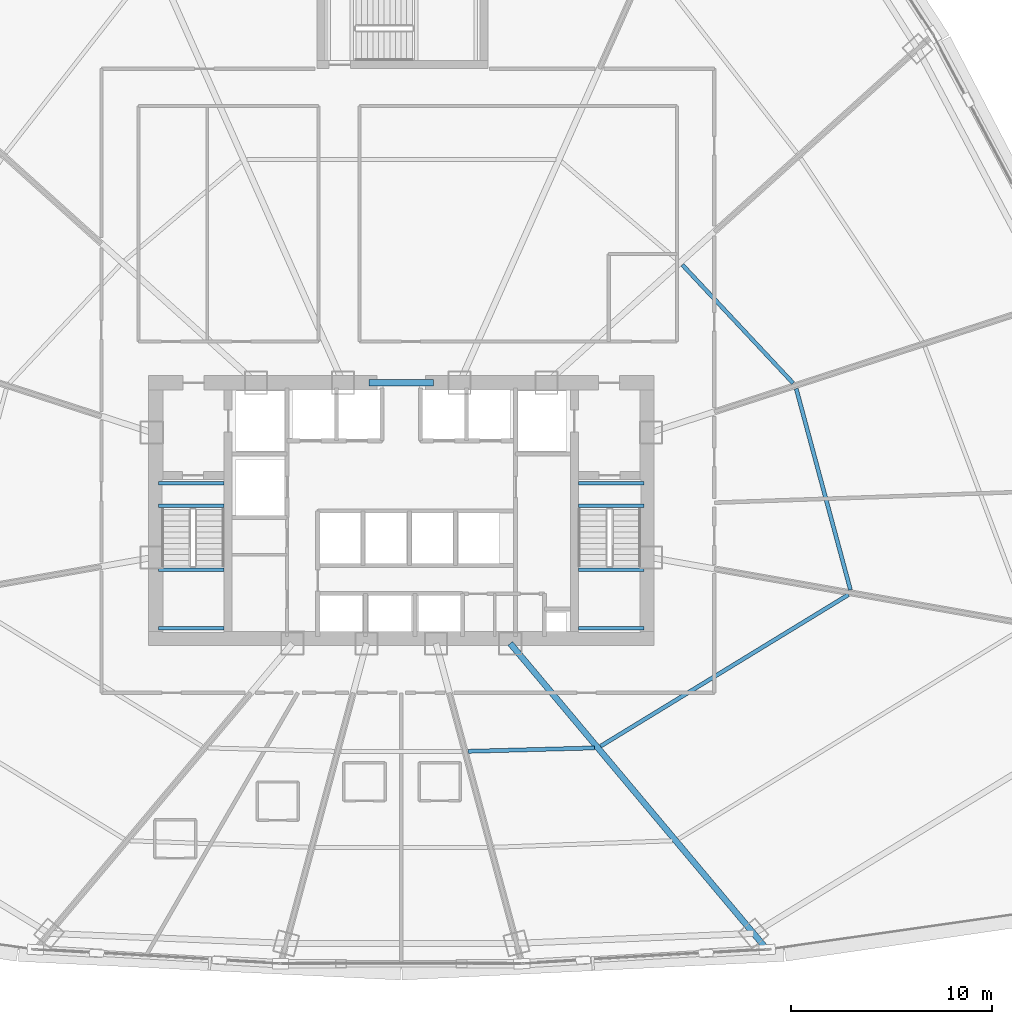
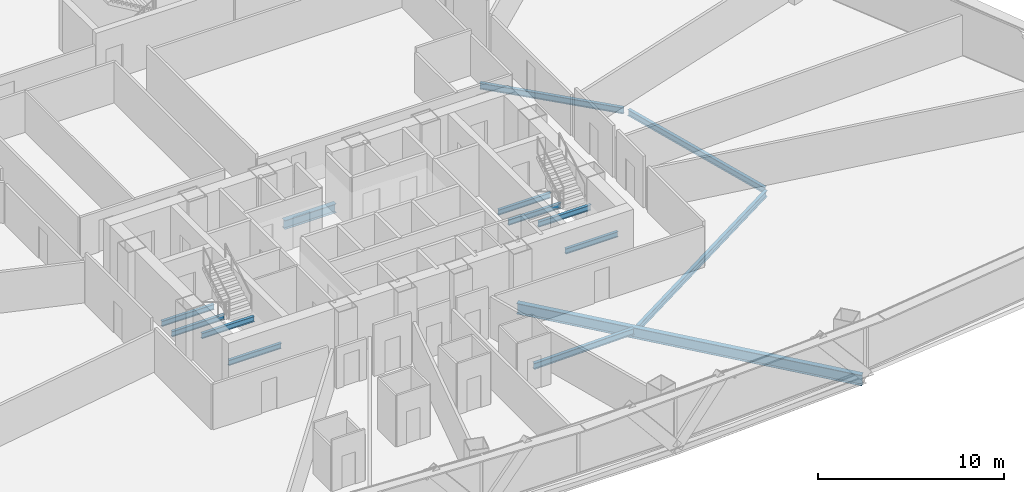
# One storey, part 13 of 41: 14 beams.
"""IFC4 building model written with IfcOpenShell, lengths in metres."""

from ifc_helpers import new_model, si_unit, direction, frame, origin, origin_2d, place, context, subcontext, project, spatial, i_section, extrude, source, transform, mapped, material, material_profile, profile_set, type_object, element, save


model = new_model("IFC4")

# Units and contexts
model_context = context("Model", 3, precision=1e-05, world=origin(), true_north=direction((0.0, 1.0)))
body_context = subcontext(model_context, "Body", "Model", "MODEL_VIEW")
ifc_project = project(units=[si_unit("LENGTHUNIT", "METRE"), si_unit("AREAUNIT", "SQUARE_METRE"), si_unit("VOLUMEUNIT", "CUBIC_METRE"), si_unit("PLANEANGLEUNIT", "RADIAN"), si_unit("MASSUNIT", "GRAM", prefix="KILO"), si_unit("THERMODYNAMICTEMPERATUREUNIT", "KELVIN"), si_unit("POWERUNIT", "WATT")], contexts=[model_context])

# Site, building, storey
site_placement = place(None, origin())
site = spatial("IfcSite", under=ifc_project, at=site_placement, CompositionType="ELEMENT")
building_placement = place(site_placement, origin())
building = spatial("IfcBuilding", under=site, at=building_placement, Name="Yunzhuo Pagoda Commons", CompositionType="ELEMENT")
storey_placement = place(building_placement, frame((0.0, 0.0, 63.070068359375)))
storey = spatial("IfcBuildingStorey", under=building, at=storey_placement, Name="L16", CompositionType="ELEMENT", Elevation=63.070068359375)

# Beams
ifc_material_1 = material(Name="Structural steel Q355B", Category="steel")
ifc_material_profile_1 = material_profile(ifc_material_1, i_section(OverallWidth=0.175048828125, OverallDepth=0.35009765625, WebThickness=0.007080078125, FlangeThickness=0.010986328125, at=origin_2d()), Name="Structural steel Q355B")
ifc_profile_set_1 = profile_set([ifc_material_profile_1], Name="Structural steel Q355B")
beam_type_1 = type_object("IfcBeamType", Name="B-JS2 Joist HN 350x175x7x11", PredefinedType="JOIST", material=ifc_profile_set_1)
shared_shape_1 = source(origin(), body_context, "Body", "SweptSolid", [
    extrude(i_section(OverallWidth=0.175048828125, OverallDepth=0.35009765625, WebThickness=0.007080078125, FlangeThickness=0.010986328125, at=origin_2d()), origin(), (0.0, 0.0, 1.0), 3.25),
])
for number, where, z_axis, x_axis, name in (
    (1, (35.949951171875, 28.0, 1.43994140625), (1.0, 0.0, 0.0), (0.0, 1.0, 0.0), "L16 ST1 landing support beam 20A"),
    (2, (35.949951171875, 30.89990234375, 1.43994140625), (1.0, 0.0, 0.0), (0.0, 1.0, 0.0), "L16 ST1 landing support beam 20B"),
    (3, (35.949951171875, 34.10009765625, -0.375), (1.0, 0.0, 0.0), (0.0, 1.0, 0.0), "L16 ST1 landing support beam 120A"),
    (4, (35.949951171875, 35.199951171875, -0.375), (1.0, 0.0, 0.0), (0.0, 1.0, 0.0), "L16 ST1 landing support beam 120B"),
    (5, (56.800048828125, 28.0, 1.43994140625), (1.0, 0.0, 0.0), (0.0, 1.0, 0.0), "L16 ST2 landing support beam 20A"),
    (6, (56.800048828125, 30.89990234375, 1.43994140625), (1.0, 0.0, 0.0), (0.0, 1.0, 0.0), "L16 ST2 landing support beam 20B"),
    (7, (56.800048828125, 34.10009765625, -0.375), (1.0, 0.0, 0.0), (0.0, 1.0, 0.0), "L16 ST2 landing support beam 120A"),
    (8, (56.800048828125, 35.199951171875, -0.375), (1.0, 0.0, 0.0), (0.0, 1.0, 0.0), "L16 ST2 landing support beam 120B"),
):
    element("IfcBeam", number, at=place(storey_placement, frame(where, z_axis=z_axis, x_axis=x_axis)), inside=storey, type_object=beam_type_1, Name=name, PredefinedType="JOIST", context=body_context, shape_type="MappedRepresentation", body=[
        mapped(shared_shape_1, transform((0.0, 0.0, 0.0), scale=1.0)),
    ])
ifc_material_2 = material(Name="Structural steel Q420B", Category="steel")
ifc_material_profile_2 = material_profile(ifc_material_2, i_section(OverallWidth=0.300048828125, OverallDepth=0.587890625, WebThickness=0.011962890625, FlangeThickness=0.02001953125, at=origin_2d()), Name="Structural steel Q420B")
ifc_profile_set_2 = profile_set([ifc_material_profile_2], Name="Structural steel Q420B")
beam_type_2 = type_object("IfcBeamType", Name="B-CPL Beam HM 588x300x12x20", PredefinedType="BEAM", material=ifc_profile_set_2)
shared_shape_2 = source(origin(), body_context, "Body", "SweptSolid", [
    extrude(i_section(OverallWidth=0.300048828125, OverallDepth=0.587890625, WebThickness=0.011962890625, FlangeThickness=0.02001953125, at=origin_2d()), origin(), (0.0, 0.0, 1.0), 3.2001953125),
])
beam_1_placement = place(storey_placement, frame((46.39990234375, 40.199951171875, -0.553955078125), z_axis=(1.0, 0.0, 0.0), x_axis=(0.0, 1.0, 0.0)))
element("IfcBeam", 9, at=beam_1_placement, inside=storey, type_object=beam_type_2, Name="L16 core coupling girder", PredefinedType="BEAM", context=body_context, shape_type="MappedRepresentation", body=[
    mapped(shared_shape_2, transform((0.0, 0.0, 0.0), scale=1.0)),
])
ifc_material_profile_3 = material_profile(ifc_material_1, i_section(OverallWidth=0.199951171875, OverallDepth=0.39990234375, WebThickness=0.008056640625, FlangeThickness=0.012939453125, at=origin_2d()), Name="Structural steel Q355B")
ifc_profile_set_3 = profile_set([ifc_material_profile_3], Name="Structural steel Q355B")
beam_type_3 = type_object("IfcBeamType", Name="B-JS1 Joist HN 400x200x8x13", PredefinedType="JOIST", material=ifc_profile_set_3)
shared_shape_3 = source(origin(), body_context, "Body", "SweptSolid", [
    extrude(i_section(OverallWidth=0.199951171875, OverallDepth=0.39990234375, WebThickness=0.008056640625, FlangeThickness=0.012939453125, at=origin_2d()), origin(), (0.0, 0.0, 1.0), 6.283203125),
])
beam_2_placement = place(storey_placement, frame((51.32421875, 21.89111328125, -0.4599609375), z_axis=(0.999638450037, 0.026888086735, 0.0), x_axis=(-0.026888086735, 0.999638450037, 0.0)))
element("IfcBeam", 10, at=beam_2_placement, inside=storey, type_object=beam_type_3, Name="L16 composite ring joist 1.3", PredefinedType="JOIST", context=body_context, shape_type="MappedRepresentation", body=[
    mapped(shared_shape_3, transform((0.0, 0.0, 0.0), scale=1.0)),
])
shared_shape_4 = source(origin(), body_context, "Body", "SweptSolid", [
    extrude(i_section(OverallWidth=0.199951171875, OverallDepth=0.39990234375, WebThickness=0.008056640625, FlangeThickness=0.012939453125, at=origin_2d()), origin(), (0.0, 0.0, 1.0), 14.4365234375),
])
beam_3_placement = place(storey_placement, frame((57.8994140625, 22.14697265625, -0.4599609375), z_axis=(0.85325633277, 0.521491735876, 0.0), x_axis=(-0.521491735876, 0.85325633277, 0.0)))
element("IfcBeam", 11, at=beam_3_placement, inside=storey, type_object=beam_type_3, Name="L16 composite ring joist 1.4", PredefinedType="JOIST", context=body_context, shape_type="MappedRepresentation", body=[
    mapped(shared_shape_4, transform((0.0, 0.0, 0.0), scale=1.0)),
])
shared_shape_5 = source(origin(), body_context, "Body", "SweptSolid", [
    extrude(i_section(OverallWidth=0.199951171875, OverallDepth=0.39990234375, WebThickness=0.008056640625, FlangeThickness=0.012939453125, at=origin_2d()), origin(), (0.0, 0.0, 1.0), 10.351806640625),
])
beam_4_placement = place(storey_placement, frame((70.311767578125, 29.912109375, -0.4599609375), z_axis=(-0.260208595802, 0.965552425646, 0.0), x_axis=(-0.965552425646, -0.260208595802, 0.0)))
element("IfcBeam", 12, at=beam_4_placement, inside=storey, type_object=beam_type_3, Name="L16 composite ring joist 1.5", PredefinedType="JOIST", context=body_context, shape_type="MappedRepresentation", body=[
    mapped(shared_shape_5, transform((0.0, 0.0, 0.0), scale=1.0)),
])
shared_shape_6 = source(origin(), body_context, "Body", "SweptSolid", [
    extrude(i_section(OverallWidth=0.199951171875, OverallDepth=0.39990234375, WebThickness=0.008056640625, FlangeThickness=0.012939453125, at=origin_2d()), origin(), (0.0, 0.0, 1.0), 8.055908203125),
])
beam_5_placement = place(storey_placement, frame((67.468017578125, 40.177001953125, -0.4599609375), z_axis=(-0.683432879027, 0.730013355949, 0.0), x_axis=(-0.730013355949, -0.683432879027, 0.0)))
element("IfcBeam", 13, at=beam_5_placement, inside=storey, type_object=beam_type_3, Name="L16 composite ring joist 1.6", PredefinedType="JOIST", context=body_context, shape_type="MappedRepresentation", body=[
    mapped(shared_shape_6, transform((0.0, 0.0, 0.0), scale=1.0)),
])
ifc_material_profile_4 = material_profile(ifc_material_1, i_section(OverallWidth=0.300048828125, OverallDepth=0.699951171875, WebThickness=0.012939453125, FlangeThickness=0.02392578125, at=origin_2d()), Name="Structural steel Q355B")
ifc_profile_set_4 = profile_set([ifc_material_profile_4], Name="Structural steel Q355B")
beam_type_4 = type_object("IfcBeamType", Name="B-RG1 Beam HN 700x300x13x24", PredefinedType="BEAM", material=ifc_profile_set_4)
shared_shape_7 = source(origin(), body_context, "Body", "SweptSolid", [
    extrude(i_section(OverallWidth=0.300048828125, OverallDepth=0.699951171875, WebThickness=0.012939453125, FlangeThickness=0.02392578125, at=origin_2d()), origin(), (0.0, 0.0, 1.0), 19.7001953125),
])
beam_6_placement = place(storey_placement, frame((66.0751953125, 12.15869140625, -0.610107421875), z_axis=(-0.642786848986, 0.766045081422, 0.0), x_axis=(-0.766045081422, -0.642786848986, 0.0)))
element("IfcBeam", 14, at=beam_6_placement, inside=storey, type_object=beam_type_4, Name="L16 radial floor girder F1C4", PredefinedType="BEAM", context=body_context, shape_type="MappedRepresentation", body=[
    mapped(shared_shape_7, transform((0.0, 0.0, 0.0), scale=1.0)),
])

save(model, "model.ifc")
